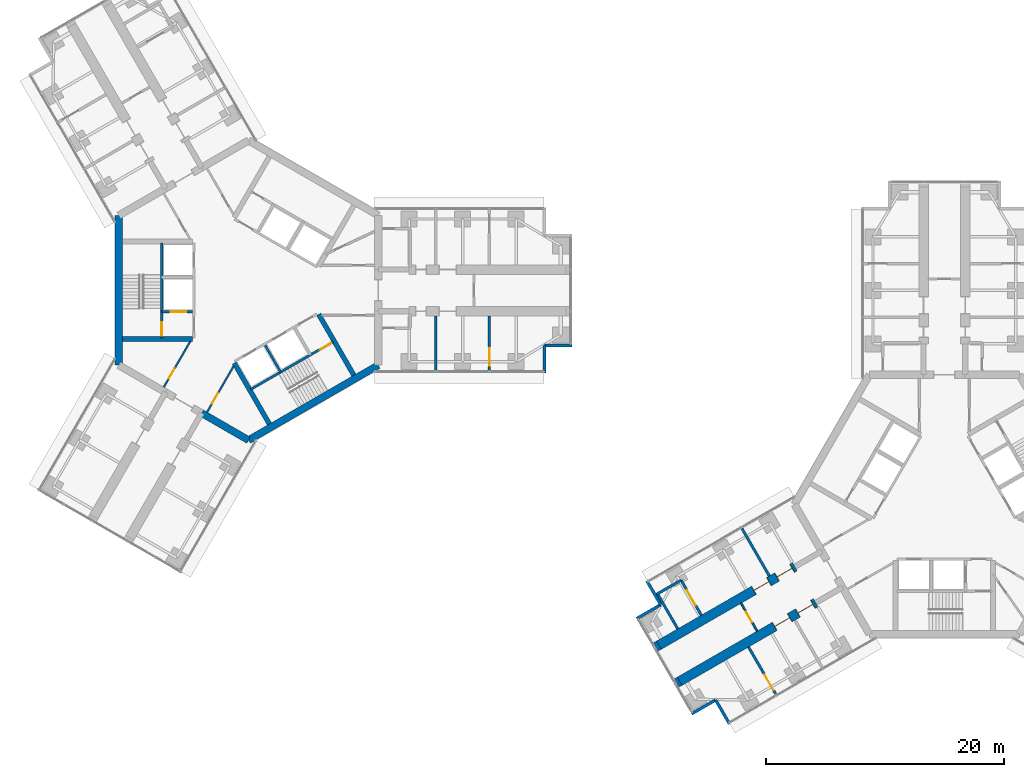
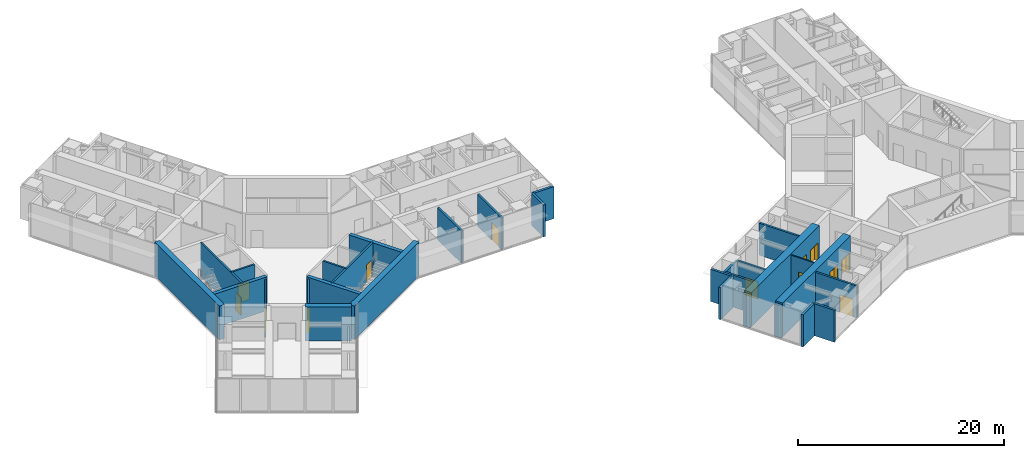
# One storey, part 15 of 21: 30 walls, 13 doors, 13 openings.
"""IFC4 building model written with IfcOpenShell, lengths in metres."""

from ifc_helpers import new_model, si_unit, direction, frame, frame_2d, origin, place, context, subcontext, project, spatial, rectangle, extrude, material, layer, layer_set, type_object, element, fill, save


model = new_model("IFC4")

# Units and contexts
model_context = context("Model", 3, precision=1e-05, world=origin(), true_north=direction((0.0, 1.0)))
body_context = subcontext(model_context, "Body", "Model", "MODEL_VIEW")
ifc_project = project(units=[si_unit("LENGTHUNIT", "METRE"), si_unit("AREAUNIT", "SQUARE_METRE"), si_unit("VOLUMEUNIT", "CUBIC_METRE"), si_unit("PLANEANGLEUNIT", "RADIAN"), si_unit("MASSUNIT", "GRAM", prefix="KILO")], contexts=[model_context])

# Site, building, storey
site_placement = place(None, origin())
site = spatial("IfcSite", under=ifc_project, at=site_placement, CompositionType="ELEMENT")
building_placement = place(site_placement, origin())
building = spatial("IfcBuilding", under=site, at=building_placement, Name="Upepo Twin Towers", CompositionType="ELEMENT")
storey_placement = place(building_placement, frame((0.0, 0.0, 113.5)))
storey = spatial("IfcBuildingStorey", under=building, at=storey_placement, Name="L27", CompositionType="ELEMENT", Elevation=113.5)

# Wall
ifc_material_1 = material(Name="Concrete blockwork, plastered both faces", Category="masonry")
ifc_layer_1 = layer(ifc_material_1, 0.215087890625)
ifc_layer_set_1 = layer_set([ifc_layer_1], Name="Blockwork partition 215")
wall_type_1 = type_object("IfcWallType", Name="Blockwork partition 215", PredefinedType="PARTITIONING", material=ifc_layer_set_1)
wall_1_placement = place(storey_placement, frame((15.75, -2.14990234375, 0.0), z_axis=(0.0, 0.0, 1.0), x_axis=(0.0, -1.0, 0.0)))
element("IfcWall", 1, at=wall_1_placement, inside=storey, type_object=wall_type_1, Name="T1 partition AR at 15.75", PredefinedType="PARTITIONING", context=body_context, shape_type="SweptSolid", body=[
    extrude(rectangle(XDim=4.60009765625, YDim=0.215087890625, at=frame_2d((2.300048828125, 0.0))), origin(), (0.0, 0.0, 1.0), 3.800048828125),
])

# Wall, opening, door
wall_2_placement = place(storey_placement, frame((20.25, -2.14990234375, 0.0), z_axis=(0.0, 0.0, 1.0), x_axis=(0.0, -1.0, 0.0)))
wall_2 = element("IfcWall", 2, at=wall_2_placement, inside=storey, type_object=wall_type_1, Name="T1 partition AR at 20.25", PredefinedType="PARTITIONING", context=body_context, shape_type="SweptSolid", body=[
    extrude(rectangle(XDim=4.60009765625, YDim=0.215087890625, at=frame_2d((2.300048828125, 0.0))), origin(), (0.0, 0.0, 1.0), 3.800048828125),
])
opening_1_placement = place(wall_2_placement, frame((2.699951171875, 0.0, 0.0)))
opening_1 = element("IfcOpeningElement", 3, at=opening_1_placement, cuts=wall_2, Name="Opening D13", PredefinedType="OPENING", context=body_context, shape_type="SweptSolid", body=[
    extrude(rectangle(XDim=1.5, YDim=2.10009765625, at=frame_2d((0.75, 1.050048828125))), frame((0.0, 0.117431640625, 0.0), z_axis=(0.0, -1.0, 0.0), x_axis=(1.0, 0.0, 0.0)), (0.0, 0.0, 1.0), 0.235107421875),
])
ifc_material_2 = material(Name="Timber doorset", Category="wood")
door_type_1 = type_object("IfcDoorType", Name="Double door 1500 FD30", OperationType="DOUBLE_DOOR_SINGLE_SWING", PredefinedType="DOOR", material=ifc_material_2)
door_1_placement = place(opening_1_placement, origin())
door_1 = element("IfcDoor", 4, at=door_1_placement, inside=storey, type_object=door_type_1, Name="T1 L27 connecting door", OperationType="DOUBLE_DOOR_SINGLE_SWING", OverallHeight=2.10009765625, OverallWidth=1.5, PredefinedType="DOOR", context=body_context, shape_type="SweptSolid", body=[
    extrude(rectangle(XDim=1.5, YDim=2.10009765625, at=frame_2d((0.75, 1.050048828125))), frame((0.0, 0.02490234375, 0.0), z_axis=(0.0, -1.0, 0.0), x_axis=(1.0, 0.0, 0.0)), (0.0, 0.0, 1.0), 0.050048828125),
])
fill(opening_1, door_1)

wall_3_placement = place(storey_placement, frame((42.0380859375, -29.987060546875, 0.0), z_axis=(0.0, 0.0, 1.0), x_axis=(0.499975146636, -0.866039752405, 0.0)))
wall_3 = element("IfcWall", 5, at=wall_3_placement, inside=storey, type_object=wall_type_1, Name="T2 partition BL at 20.25", PredefinedType="PARTITIONING", context=body_context, shape_type="SweptSolid", body=[
    extrude(rectangle(XDim=4.599853515625, YDim=0.215087890625, at=frame_2d((2.2998046875, 0.0))), origin(), (0.0, 0.0, 1.0), 3.800048828125),
])
opening_2_placement = place(wall_3_placement, frame((2.699951171875, 0.0, 0.0)))
opening_2 = element("IfcOpeningElement", 6, at=opening_2_placement, cuts=wall_3, Name="Opening D13", PredefinedType="OPENING", context=body_context, shape_type="SweptSolid", body=[
    extrude(rectangle(XDim=1.5, YDim=2.10009765625, at=frame_2d((0.75, 1.050048828125))), frame((0.0, 0.117431640625, 0.0), z_axis=(0.0, -1.0, 0.0), x_axis=(1.0, 0.0, 0.0)), (0.0, 0.0, 1.0), 0.235107421875),
])
door_2_placement = place(opening_2_placement, origin())
door_2 = element("IfcDoor", 7, at=door_2_placement, inside=storey, type_object=door_type_1, Name="T2 L27 connecting door", OperationType="DOUBLE_DOOR_SINGLE_SWING", OverallHeight=2.10009765625, OverallWidth=1.5, PredefinedType="DOOR", context=body_context, shape_type="SweptSolid", body=[
    extrude(rectangle(XDim=1.5, YDim=2.10009765625, at=frame_2d((0.75, 1.050048828125))), frame((0.0, 0.02490234375, 0.0), z_axis=(0.0, -1.0, 0.0), x_axis=(1.0, 0.0, 0.0)), (0.0, 0.0, 1.0), 0.050048828125),
])
fill(opening_2, door_2)

# Walls
wall_4_placement = place(storey_placement, frame((43.78515625, -24.012939453125, 0.0), z_axis=(0.0, 0.0, 1.0), x_axis=(-0.500014953309, 0.866016770315, 0.0)))
element("IfcWall", 8, at=wall_4_placement, inside=storey, type_object=wall_type_1, Name="T2 partition BR at 15.75", PredefinedType="PARTITIONING", context=body_context, shape_type="SweptSolid", body=[
    extrude(rectangle(XDim=4.599853515625, YDim=0.215087890625, at=frame_2d((2.2998046875, 0.0))), origin(), (0.0, 0.0, 1.0), 3.800048828125),
])
wall_5_placement = place(storey_placement, frame((36.369384765625, -24.36865234375, 0.0), z_axis=(0.0, 0.0, 1.0), x_axis=(-0.866050077142, -0.499957262057, 0.0)))
element("IfcWall", 9, at=wall_5_placement, inside=storey, type_object=wall_type_1, Name="T2 inner room partition BR at 22.35", PredefinedType="PARTITIONING", context=body_context, shape_type="SweptSolid", body=[
    extrude(rectangle(XDim=2.400146484375, YDim=0.215087890625, at=frame_2d((1.2001953125, 0.0))), origin(), (0.0, 0.0, 1.0), 3.800048828125),
])

# Wall, opening, door
wall_6_placement = place(storey_placement, frame((38.0693359375, -27.31298828125, 0.0), z_axis=(0.0, 0.0, 1.0), x_axis=(-0.500008388397, 0.866020560687, 0.0)))
wall_6 = element("IfcWall", 10, at=wall_6_placement, inside=storey, type_object=wall_type_1, Name="T2 inner room partition BR end at 22.35", PredefinedType="PARTITIONING", context=body_context, shape_type="SweptSolid", body=[
    extrude(rectangle(XDim=3.39990234375, YDim=0.215087890625, at=frame_2d((1.699951171875, 0.0))), origin(), (0.0, 0.0, 1.0), 3.800048828125),
])
opening_3_placement = place(wall_6_placement, frame((0.949951171875, 0.0, 0.0)))
opening_3 = element("IfcOpeningElement", 11, at=opening_3_placement, cuts=wall_6, Name="Opening D13", PredefinedType="OPENING", context=body_context, shape_type="SweptSolid", body=[
    extrude(rectangle(XDim=1.5, YDim=2.10009765625, at=frame_2d((0.75, 1.050048828125))), frame((0.0, 0.117431640625, 0.0), z_axis=(0.0, -1.0, 0.0), x_axis=(1.0, 0.0, 0.0)), (0.0, 0.0, 1.0), 0.235107421875),
])
door_3_placement = place(opening_3_placement, origin())
door_3 = element("IfcDoor", 12, at=door_3_placement, inside=storey, type_object=door_type_1, Name="T2 L27 inner room door", OperationType="DOUBLE_DOOR_SINGLE_SWING", OverallHeight=2.10009765625, OverallWidth=1.5, PredefinedType="DOOR", context=body_context, shape_type="SweptSolid", body=[
    extrude(rectangle(XDim=1.5, YDim=2.10009765625, at=frame_2d((0.75, 1.050048828125))), frame((0.0, 0.02490234375, 0.0), z_axis=(0.0, -1.0, 0.0), x_axis=(1.0, 0.0, 0.0)), (0.0, 0.0, 1.0), 0.050048828125),
])
fill(opening_3, door_3)

# Walls
wall_7_placement = place(storey_placement, frame((36.083984375, -28.459228515625, 0.0), z_axis=(0.0, 0.0, 1.0), x_axis=(-0.500008388397, 0.866020560687, 0.0)))
element("IfcWall", 13, at=wall_7_placement, inside=storey, type_object=wall_type_1, Name="T2 inner room partition BR end at 24.75", PredefinedType="PARTITIONING", context=body_context, shape_type="SweptSolid", body=[
    extrude(rectangle(XDim=3.39990234375, YDim=0.215087890625, at=frame_2d((1.699951171875, 0.0))), origin(), (0.0, 0.0, 1.0), 3.800048828125),
])
ifc_material_3 = material(Name="Dense concrete blockwork", Category="masonry")
ifc_layer_2 = layer(ifc_material_3, 0.800048828125)
ifc_layer_set_2 = layer_set([ifc_layer_2], Name="Buttress closer 800, blockwork with fire-stopping to the curtain wall")
wall_type_2 = type_object("IfcWallType", Name="Buttress closer 800, blockwork with fire-stopping to the curtain wall", PredefinedType="PARTITIONING", material=ifc_layer_set_2)
wall_8_placement = place(storey_placement, frame((36.252197265625, -32.865478515625, 0.0), z_axis=(0.0, 0.0, 1.0), x_axis=(-0.865778900179, -0.500426713919, 0.0)))
element("IfcWall", 14, at=wall_8_placement, inside=storey, type_object=wall_type_2, Name="T2 L27 wing B buttress closer L", PredefinedType="PARTITIONING", context=body_context, shape_type="SweptSolid", body=[
    extrude(rectangle(XDim=0.300048828125, YDim=0.800048828125, at=frame_2d((0.14990234375, 0.0))), origin(), (0.0, 0.0, 1.0), 3.800048828125),
])
wall_9_placement = place(storey_placement, frame((34.502197265625, -29.83447265625, 0.0), z_axis=(0.0, 0.0, 1.0), x_axis=(-0.866131372301, -0.499816412211, 0.0)))
element("IfcWall", 15, at=wall_9_placement, inside=storey, type_object=wall_type_2, Name="T2 L27 wing B buttress closer R", PredefinedType="PARTITIONING", context=body_context, shape_type="SweptSolid", body=[
    extrude(rectangle(XDim=0.2998046875, YDim=0.800048828125, at=frame_2d((0.14990234375, 0.0))), origin(), (0.0, 0.0, 1.0), 3.800048828125),
])

# Wall, openings, doors
ifc_material_4 = material(Name="Concrete C60/75", Category="concrete")
ifc_layer_3 = layer(ifc_material_4, 0.800048828125)
ifc_layer_set_3 = layer_set([ifc_layer_3], Name="Concrete C60/75")
wall_type_3 = type_object("IfcWallType", Name="Buttress wall 800 RC", PredefinedType="SHEAR", material=ifc_layer_set_3)
wall_10_placement = place(storey_placement, frame((47.68359375, -26.265625, 0.0), z_axis=(0.0, 0.0, 1.0), x_axis=(-0.866027579429, -0.499996231654, 0.0)))
wall_10 = element("IfcWall", 16, at=wall_10_placement, inside=storey, type_object=wall_type_3, Name="T2 wing B buttress wall L part 2", PredefinedType="SHEAR", context=body_context, shape_type="SweptSolid", body=[
    extrude(rectangle(XDim=13.19970703125, YDim=0.800048828125, at=frame_2d((6.599853515625, 0.0))), origin(), (0.0, 0.0, 1.0), 4.0),
])
opening_4_placement = place(wall_10_placement, frame((0.25, 0.0, 0.0)))
opening_4 = element("IfcOpeningElement", 17, at=opening_4_placement, cuts=wall_10, Name="Opening D13", PredefinedType="OPENING", context=body_context, shape_type="SweptSolid", body=[
    extrude(rectangle(XDim=1.5, YDim=2.10009765625, at=frame_2d((0.75, 1.050048828125))), frame((0.0, 0.409912109375, 0.0), z_axis=(0.0, -1.0, 0.0), x_axis=(1.0, 0.0, 0.0)), (0.0, 0.0, 1.0), 0.820068359375),
])
opening_5_placement = place(wall_10_placement, frame((2.5, 0.0, 0.0)))
opening_5 = element("IfcOpeningElement", 18, at=opening_5_placement, cuts=wall_10, Name="Opening D13", PredefinedType="OPENING", context=body_context, shape_type="SweptSolid", body=[
    extrude(rectangle(XDim=1.5, YDim=2.10009765625, at=frame_2d((0.75, 1.050048828125))), frame((0.0, 0.409912109375, 0.0), z_axis=(0.0, -1.0, 0.0), x_axis=(1.0, 0.0, 0.0)), (0.0, 0.0, 1.0), 0.820068359375),
])
door_4_placement = place(opening_4_placement, origin())
door_4 = element("IfcDoor", 19, at=door_4_placement, inside=storey, type_object=door_type_1, Name="T2 L27 tutorial room door", OperationType="DOUBLE_DOOR_SINGLE_SWING", OverallHeight=2.10009765625, OverallWidth=1.5, PredefinedType="DOOR", context=body_context, shape_type="SweptSolid", body=[
    extrude(rectangle(XDim=1.42, YDim=2.06009765625, at=frame_2d((0.75, 1.030029296875))), frame((0.0, 0.02490234375, 0.0), z_axis=(0.0, -1.0, 0.0), x_axis=(1.0, 0.0, 0.0)), (0.0, 0.0, 1.0), 0.050048828125),
    extrude(rectangle(XDim=0.04, YDim=2.10009765625, at=frame_2d((0.02001953125, 1.050048828125))), frame((0.0, 0.39990234375, 0.0), z_axis=(0.0, -1.0, 0.0), x_axis=(1.0, 0.0, 0.0)), (0.0, 0.0, 1.0), 0.799560546875),
    extrude(rectangle(XDim=0.04, YDim=2.10009765625, at=frame_2d((1.47998046875, 1.050048828125))), frame((0.0, 0.39990234375, 0.0), z_axis=(0.0, -1.0, 0.0), x_axis=(1.0, 0.0, 0.0)), (0.0, 0.0, 1.0), 0.799560546875),
    extrude(rectangle(XDim=1.42, YDim=0.04, at=frame_2d((0.75, 2.080078125))), frame((0.0, 0.39990234375, 0.0), z_axis=(0.0, -1.0, 0.0), x_axis=(1.0, 0.0, 0.0)), (0.0, 0.0, 1.0), 0.799560546875),
])
fill(opening_4, door_4)
door_5_placement = place(opening_5_placement, origin())
door_5 = element("IfcDoor", 20, at=door_5_placement, inside=storey, type_object=door_type_1, Name="T2 L27 seminar room door", OperationType="DOUBLE_DOOR_SINGLE_SWING", OverallHeight=2.10009765625, OverallWidth=1.5, PredefinedType="DOOR", context=body_context, shape_type="SweptSolid", body=[
    extrude(rectangle(XDim=1.42, YDim=2.06009765625, at=frame_2d((0.75, 1.030029296875))), frame((0.0, 0.02490234375, 0.0), z_axis=(0.0, -1.0, 0.0), x_axis=(1.0, 0.0, 0.0)), (0.0, 0.0, 1.0), 0.050048828125),
    extrude(rectangle(XDim=0.04, YDim=2.10009765625, at=frame_2d((0.02001953125, 1.050048828125))), frame((0.0, 0.39990234375, 0.0), z_axis=(0.0, -1.0, 0.0), x_axis=(1.0, 0.0, 0.0)), (0.0, 0.0, 1.0), 0.799560546875),
    extrude(rectangle(XDim=0.04, YDim=2.10009765625, at=frame_2d((1.47998046875, 1.050048828125))), frame((0.0, 0.39990234375, 0.0), z_axis=(0.0, -1.0, 0.0), x_axis=(1.0, 0.0, 0.0)), (0.0, 0.0, 1.0), 0.799560546875),
    extrude(rectangle(XDim=1.42, YDim=0.04, at=frame_2d((0.75, 2.080078125))), frame((0.0, 0.39990234375, 0.0), z_axis=(0.0, -1.0, 0.0), x_axis=(1.0, 0.0, 0.0)), (0.0, 0.0, 1.0), 0.799560546875),
])
fill(opening_5, door_5)

wall_11_placement = place(storey_placement, frame((45.93359375, -23.234375, 0.0), z_axis=(0.0, 0.0, 1.0), x_axis=(-0.866019570528, -0.500010103361, 0.0)))
wall_11 = element("IfcWall", 21, at=wall_11_placement, inside=storey, type_object=wall_type_3, Name="T2 wing B buttress wall R part 2", PredefinedType="SHEAR", context=body_context, shape_type="SweptSolid", body=[
    extrude(rectangle(XDim=13.199951171875, YDim=0.800048828125, at=frame_2d((6.60009765625, 0.0))), origin(), (0.0, 0.0, 1.0), 4.0),
])
opening_6_placement = place(wall_11_placement, frame((0.25, 0.0, 0.0)))
opening_6 = element("IfcOpeningElement", 22, at=opening_6_placement, cuts=wall_11, Name="Opening D13", PredefinedType="OPENING", context=body_context, shape_type="SweptSolid", body=[
    extrude(rectangle(XDim=1.5, YDim=2.10009765625, at=frame_2d((0.75, 1.050048828125))), frame((0.0, 0.409912109375, 0.0), z_axis=(0.0, -1.0, 0.0), x_axis=(1.0, 0.0, 0.0)), (0.0, 0.0, 1.0), 0.820068359375),
])
opening_7_placement = place(wall_11_placement, frame((2.5, 0.0, 0.0)))
opening_7 = element("IfcOpeningElement", 23, at=opening_7_placement, cuts=wall_11, Name="Opening D13", PredefinedType="OPENING", context=body_context, shape_type="SweptSolid", body=[
    extrude(rectangle(XDim=1.5, YDim=2.10009765625, at=frame_2d((0.75, 1.050048828125))), frame((0.0, 0.409912109375, 0.0), z_axis=(0.0, -1.0, 0.0), x_axis=(1.0, 0.0, 0.0)), (0.0, 0.0, 1.0), 0.820068359375),
])
door_6_placement = place(opening_6_placement, origin())
door_6 = element("IfcDoor", 24, at=door_6_placement, inside=storey, type_object=door_type_1, Name="T2 L27 tutorial room door", OperationType="DOUBLE_DOOR_SINGLE_SWING", OverallHeight=2.10009765625, OverallWidth=1.5, PredefinedType="DOOR", context=body_context, shape_type="SweptSolid", body=[
    extrude(rectangle(XDim=1.42, YDim=2.06009765625, at=frame_2d((0.75, 1.030029296875))), frame((0.0, 0.02490234375, 0.0), z_axis=(0.0, -1.0, 0.0), x_axis=(1.0, 0.0, 0.0)), (0.0, 0.0, 1.0), 0.050048828125),
    extrude(rectangle(XDim=0.04, YDim=2.10009765625, at=frame_2d((0.02001953125, 1.050048828125))), frame((0.0, 0.39990234375, 0.0), z_axis=(0.0, -1.0, 0.0), x_axis=(1.0, 0.0, 0.0)), (0.0, 0.0, 1.0), 0.799560546875),
    extrude(rectangle(XDim=0.04, YDim=2.10009765625, at=frame_2d((1.47998046875, 1.050048828125))), frame((0.0, 0.39990234375, 0.0), z_axis=(0.0, -1.0, 0.0), x_axis=(1.0, 0.0, 0.0)), (0.0, 0.0, 1.0), 0.799560546875),
    extrude(rectangle(XDim=1.42, YDim=0.04, at=frame_2d((0.75, 2.080078125))), frame((0.0, 0.39990234375, 0.0), z_axis=(0.0, -1.0, 0.0), x_axis=(1.0, 0.0, 0.0)), (0.0, 0.0, 1.0), 0.799560546875),
])
fill(opening_6, door_6)
door_7_placement = place(opening_7_placement, origin())
door_7 = element("IfcDoor", 25, at=door_7_placement, inside=storey, type_object=door_type_1, Name="T2 L27 moot court door", OperationType="DOUBLE_DOOR_SINGLE_SWING", OverallHeight=2.10009765625, OverallWidth=1.5, PredefinedType="DOOR", context=body_context, shape_type="SweptSolid", body=[
    extrude(rectangle(XDim=1.42, YDim=2.06009765625, at=frame_2d((0.75, 1.030029296875))), frame((0.0, 0.02490234375, 0.0), z_axis=(0.0, -1.0, 0.0), x_axis=(1.0, 0.0, 0.0)), (0.0, 0.0, 1.0), 0.050048828125),
    extrude(rectangle(XDim=0.04, YDim=2.10009765625, at=frame_2d((0.02001953125, 1.050048828125))), frame((0.0, 0.39990234375, 0.0), z_axis=(0.0, -1.0, 0.0), x_axis=(1.0, 0.0, 0.0)), (0.0, 0.0, 1.0), 0.799560546875),
    extrude(rectangle(XDim=0.04, YDim=2.10009765625, at=frame_2d((1.47998046875, 1.050048828125))), frame((0.0, 0.39990234375, 0.0), z_axis=(0.0, -1.0, 0.0), x_axis=(1.0, 0.0, 0.0)), (0.0, 0.0, 1.0), 0.799560546875),
    extrude(rectangle(XDim=1.42, YDim=0.04, at=frame_2d((0.75, 2.080078125))), frame((0.0, 0.39990234375, 0.0), z_axis=(0.0, -1.0, 0.0), x_axis=(1.0, 0.0, 0.0)), (0.0, 0.0, 1.0), 0.799560546875),
])
fill(opening_7, door_7)

# Walls
ifc_material_5 = material(Name="Concrete C60/75", Category="concrete")
ifc_layer_4 = layer(ifc_material_5, 0.60009765625)
ifc_layer_set_4 = layer_set([ifc_layer_4], Name="Concrete C60/75")
wall_type_4 = type_object("IfcWallType", Name="Core wall 600 RC", PredefinedType="SHEAR", material=ifc_layer_set_4)
wall_12_placement = place(storey_placement, frame((-10.908447265625, 6.2978515625, 0.0), z_axis=(0.0, 0.0, 1.0), x_axis=(0.0, -1.0, 0.0)))
element("IfcWall", 26, at=wall_12_placement, inside=storey, type_object=wall_type_4, Name="T1 core wall 180", PredefinedType="SHEAR", context=body_context, shape_type="SweptSolid", body=[
    extrude(rectangle(XDim=12.595703125, YDim=0.60009765625, at=frame_2d((6.2978515625, 0.0))), origin(), (0.0, 0.0, 1.0), 4.0),
])
wall_13_placement = place(storey_placement, frame((-3.938720703125, -10.32177734375, 0.0), z_axis=(0.0, 0.0, 1.0), x_axis=(0.866011268655, -0.500024481964, 0.0)))
element("IfcWall", 27, at=wall_13_placement, inside=storey, type_object=wall_type_4, Name="T1 core wall 240 L", PredefinedType="SHEAR", context=body_context, shape_type="SweptSolid", body=[
    extrude(rectangle(XDim=4.548095703125, YDim=0.60009765625, at=frame_2d((2.27392578125, 0.0))), origin(), (0.0, 0.0, 1.0), 4.0),
])
wall_14_placement = place(storey_placement, frame((0.0, -12.595947265625, 0.0), z_axis=(0.0, 0.0, 1.0), x_axis=(0.866021940709, 0.500005998175, 0.0)))
element("IfcWall", 28, at=wall_14_placement, inside=storey, type_object=wall_type_4, Name="T1 core wall 300", PredefinedType="SHEAR", context=body_context, shape_type="SweptSolid", body=[
    extrude(rectangle(XDim=12.595947265625, YDim=0.60009765625, at=frame_2d((6.2978515625, 0.0))), origin(), (0.0, 0.0, 1.0), 4.0),
])
ifc_material_6 = material(Name="Blockwork with anodised aluminium cladding", Category="masonry")
ifc_layer_5 = layer(ifc_material_6, 0.25)
ifc_layer_set_5 = layer_set([ifc_layer_5], Name="Notch cladding wall 250, pale metal")
wall_type_5 = type_object("IfcWallType", Name="Notch cladding wall 250, pale metal", PredefinedType="STANDARD", material=ifc_layer_set_5)
for number, where, z_axis, x_axis, name in (
    (29, (24.875, -6.949951171875, 0.0), (0.0, 0.0, 1.0), (0.0, 1.0, 0.0), "T1 L27 wing A notch wall R1"),
    (30, (24.875, -4.625, 0.0), (0.0, 0.0, 1.0), (1.0, 0.0, 0.0), "T1 L27 wing A notch wall R2"),
    (31, (40.4326171875, -36.456298828125, 0.0), (0.0, 0.0, 1.0), (-0.500046648681, 0.865998469481, 0.0), "T2 L27 wing B notch wall L1"),
    (32, (39.27001953125, -34.44287109375, 0.0), (0.0, 0.0, 1.0), (-0.865998469481, -0.500046648681, 0.0), "T2 L27 wing B notch wall L2"),
    (33, (33.482666015625, -24.418701171875, 0.0), (0.0, 0.0, 1.0), (0.499967891604, -0.866043940782, 0.0), "T2 L27 wing B notch wall R1"),
    (34, (34.64501953125, -26.43212890625, 0.0), (0.0, 0.0, 1.0), (-0.865998469481, -0.500046648681, 0.0), "T2 L27 wing B notch wall R2"),
):
    element("IfcWall", number, at=place(storey_placement, frame(where, z_axis=z_axis, x_axis=x_axis)), inside=storey, type_object=wall_type_5, Name=name, PredefinedType="STANDARD", context=body_context, shape_type="SweptSolid", body=[
        extrude(rectangle(XDim=2.324951171875, YDim=0.25, at=frame_2d((1.16259765625, 0.0))), origin(), (0.0, 0.0, 1.0), 3.800048828125),
    ])

# Wall, opening, door
ifc_material_7 = material(Name="Concrete C40/50", Category="concrete")
ifc_layer_6 = layer(ifc_material_7, 0.199951171875)
ifc_layer_set_6 = layer_set([ifc_layer_6], Name="Concrete C40/50")
wall_type_6 = type_object("IfcWallType", Name="Shaft wall 200 RC", PredefinedType="SHEAR", material=ifc_layer_set_6)
wall_15_placement = place(storey_placement, frame((-4.699951171875, -1.800048828125, 0.0), z_axis=(0.0, 0.0, 1.0), x_axis=(-1.0, 0.0, 0.0)))
wall_15 = element("IfcWall", 35, at=wall_15_placement, inside=storey, type_object=wall_type_6, Name="T1 core W180 lobby wall", PredefinedType="SHEAR", context=body_context, shape_type="SweptSolid", body=[
    extrude(rectangle(XDim=2.60009765625, YDim=0.199951171875, at=frame_2d((1.300048828125, 0.0))), origin(), (0.0, 0.0, 1.0), 4.0),
])
opening_8_placement = place(wall_15_placement, frame((0.550048828125, 0.0, 0.0)))
opening_8 = element("IfcOpeningElement", 36, at=opening_8_placement, cuts=wall_15, Name="Opening LD2", PredefinedType="OPENING", context=body_context, shape_type="SweptSolid", body=[
    extrude(rectangle(XDim=1.300048828125, YDim=2.199951171875, at=frame_2d((0.64990234375, 1.10009765625))), frame((0.0, 0.10986328125, 0.0), z_axis=(0.0, -1.0, 0.0), x_axis=(1.0, 0.0, 0.0)), (0.0, 0.0, 1.0), 0.219970703125),
])
ifc_material_8 = material(Name="Steel doorset", Category="steel")
door_type_2 = type_object("IfcDoorType", Name="Firefighting lift landing door 1300", OperationType="DOUBLE_DOOR_SLIDING", PredefinedType="DOOR", material=ifc_material_8)
door_8_placement = place(opening_8_placement, origin())
door_8 = element("IfcDoor", 37, at=door_8_placement, inside=storey, type_object=door_type_2, Name="T1 L27 firefighting lift landing door", OperationType="DOUBLE_DOOR_SLIDING", OverallHeight=2.199951171875, OverallWidth=1.300048828125, PredefinedType="DOOR", context=body_context, shape_type="SweptSolid", body=[
    extrude(rectangle(XDim=1.300048828125, YDim=2.199951171875, at=frame_2d((0.64990234375, 1.10009765625))), frame((0.0, 0.02490234375, 0.0), z_axis=(0.0, -1.0, 0.0), x_axis=(1.0, 0.0, 0.0)), (0.0, 0.0, 1.0), 0.050048828125),
])
fill(opening_8, door_8)

wall_16_placement = place(storey_placement, frame((-7.300048828125, 4.0, 0.0), z_axis=(0.0, 0.0, 1.0), x_axis=(0.0, -1.0, 0.0)))
wall_16 = element("IfcWall", 38, at=wall_16_placement, inside=storey, type_object=wall_type_6, Name="T1 core W180 stair wall", PredefinedType="SHEAR", context=body_context, shape_type="SweptSolid", body=[
    extrude(rectangle(XDim=8.0, YDim=0.199951171875, at=frame_2d((4.0, 0.0))), origin(), (0.0, 0.0, 1.0), 4.0),
])
opening_9_placement = place(wall_16_placement, frame((6.699951171875, 0.0, 0.0)))
opening_9 = element("IfcOpeningElement", 39, at=opening_9_placement, cuts=wall_16, Name="Opening D3", PredefinedType="OPENING", context=body_context, shape_type="SweptSolid", body=[
    extrude(rectangle(XDim=1.10009765625, YDim=2.10009765625, at=frame_2d((0.550048828125, 1.050048828125))), frame((0.0, 0.10986328125, 0.0), z_axis=(0.0, -1.0, 0.0), x_axis=(1.0, 0.0, 0.0)), (0.0, 0.0, 1.0), 0.219970703125),
])
ifc_material_9 = material(Name="Timber doorset", Category="wood")
door_type_3 = type_object("IfcDoorType", Name="Stair door 1100 FD60", OperationType="SINGLE_SWING_LEFT", PredefinedType="DOOR", material=ifc_material_9)
door_9_placement = place(opening_9_placement, origin())
door_9 = element("IfcDoor", 40, at=door_9_placement, inside=storey, type_object=door_type_3, Name="T1 L27 stair door", OperationType="SINGLE_SWING_RIGHT", OverallHeight=2.10009765625, OverallWidth=1.10009765625, PredefinedType="DOOR", context=body_context, shape_type="SweptSolid", body=[
    extrude(rectangle(XDim=1.10009765625, YDim=2.10009765625, at=frame_2d((0.550048828125, 1.050048828125))), frame((0.0, 0.02490234375, 0.0), z_axis=(0.0, -1.0, 0.0), x_axis=(1.0, 0.0, 0.0)), (0.0, 0.0, 1.0), 0.050048828125),
])
fill(opening_9, door_9)

# Wall
wall_17_placement = place(storey_placement, frame((1.3974609375, -4.620361328125, 0.0), z_axis=(0.0, 0.0, 1.0), x_axis=(0.499936506574, -0.866062058628, 0.0)))
element("IfcWall", 41, at=wall_17_placement, inside=storey, type_object=wall_type_6, Name="T1 core W300 shaft divider", PredefinedType="SHEAR", context=body_context, shape_type="SweptSolid", body=[
    extrude(rectangle(XDim=2.599853515625, YDim=0.199951171875, at=frame_2d((1.2998046875, 0.0))), origin(), (0.0, 0.0, 1.0), 4.0),
])

# Wall, opening, door
wall_18_placement = place(storey_placement, frame((0.185791015625, -8.322021484375, 0.0), z_axis=(0.0, 0.0, 1.0), x_axis=(0.866026010844, 0.49999894854, 0.0)))
wall_18 = element("IfcWall", 42, at=wall_18_placement, inside=storey, type_object=wall_type_6, Name="T1 core W300 stair wall", PredefinedType="SHEAR", context=body_context, shape_type="SweptSolid", body=[
    extrude(rectangle(XDim=8.0, YDim=0.199951171875, at=frame_2d((4.0, 0.0))), origin(), (0.0, 0.0, 1.0), 4.0),
])
opening_10_placement = place(wall_18_placement, frame((6.699951171875, 0.0, 0.0)))
opening_10 = element("IfcOpeningElement", 43, at=opening_10_placement, cuts=wall_18, Name="Opening D3", PredefinedType="OPENING", context=body_context, shape_type="SweptSolid", body=[
    extrude(rectangle(XDim=1.10009765625, YDim=2.10009765625, at=frame_2d((0.550048828125, 1.050048828125))), frame((0.0, 0.10986328125, 0.0), z_axis=(0.0, -1.0, 0.0), x_axis=(1.0, 0.0, 0.0)), (0.0, 0.0, 1.0), 0.219970703125),
])
door_10_placement = place(opening_10_placement, origin())
door_10 = element("IfcDoor", 44, at=door_10_placement, inside=storey, type_object=door_type_3, Name="T1 L27 stair door", OperationType="SINGLE_SWING_RIGHT", OverallHeight=2.10009765625, OverallWidth=1.10009765625, PredefinedType="DOOR", context=body_context, shape_type="SweptSolid", body=[
    extrude(rectangle(XDim=1.10009765625, YDim=2.10009765625, at=frame_2d((0.550048828125, 1.050048828125))), frame((0.0, 0.02490234375, 0.0), z_axis=(0.0, -1.0, 0.0), x_axis=(1.0, 0.0, 0.0)), (0.0, 0.0, 1.0), 0.050048828125),
])
fill(opening_10, door_10)

# Walls
ifc_material_10 = material(Name="Concrete C40/50", Category="concrete")
ifc_layer_7 = layer(ifc_material_10, 0.39990234375)
ifc_layer_set_7 = layer_set([ifc_layer_7], Name="Concrete C40/50")
wall_type_7 = type_object("IfcWallType", Name="Shaft wall 400 RC", PredefinedType="SHEAR", material=ifc_layer_set_7)
for number, where, z_axis, x_axis, name in (
    (45, (-4.699951171875, -4.10009765625, 0.0), (0.0, 0.0, 1.0), (-1.0, 0.0, 0.0), "T1 core W180 side wall N"),
    (46, (5.900634765625, -2.020263671875, 0.0), (0.0, 0.0, 1.0), (0.500027676417, -0.866009424208, 0.0), "T1 core W300 side wall N"),
):
    element("IfcWall", number, at=place(storey_placement, frame(where, z_axis=z_axis, x_axis=x_axis)), inside=storey, type_object=wall_type_7, Name=name, PredefinedType="SHEAR", context=body_context, shape_type="SweptSolid", body=[
        extrude(rectangle(XDim=5.908447265625, YDim=0.39990234375, at=frame_2d((2.9541015625, 0.0))), origin(), (0.0, 0.0, 1.0), 4.0),
    ])
wall_19_placement = place(storey_placement, frame((-1.20068359375, -6.120361328125, 0.0), z_axis=(0.0, 0.0, 1.0), x_axis=(0.49999668571, -0.866027317282, 0.0)))
element("IfcWall", 47, at=wall_19_placement, inside=storey, type_object=wall_type_7, Name="T1 core W300 side wall S", PredefinedType="SHEAR", context=body_context, shape_type="SweptSolid", body=[
    extrude(rectangle(XDim=5.908203125, YDim=0.39990234375, at=frame_2d((2.9541015625, 0.0))), origin(), (0.0, 0.0, 1.0), 4.0),
])

# Wall, opening, door
ifc_material_11 = material(Name="Gypsum board on steel studs", Category="steel")
ifc_layer_8 = layer(ifc_material_11, 0.14990234375)
ifc_layer_set_8 = layer_set([ifc_layer_8], Name="Teaching partition 150 acoustic")
wall_type_8 = type_object("IfcWallType", Name="Teaching partition 150 acoustic", PredefinedType="PARTITIONING", material=ifc_layer_set_8)
wall_20_placement = place(storey_placement, frame((-1.252685546875, -6.36962890625, 0.0), z_axis=(0.0, 0.0, 1.0), x_axis=(-0.499999473313, -0.866025707867, 0.0)))
wall_20 = element("IfcWall", 48, at=wall_20_placement, inside=storey, type_object=wall_type_8, Name="T1 core room partition 1", PredefinedType="PARTITIONING", context=body_context, shape_type="SweptSolid", body=[
    extrude(rectangle(XDim=4.4755859375, YDim=0.14990234375, at=frame_2d((2.23779296875, 0.0))), origin(), (0.0, 0.0, 1.0), 3.800048828125),
])
opening_11_placement = place(wall_20_placement, frame((2.633056640625, 0.0, 0.0)))
opening_11 = element("IfcOpeningElement", 49, at=opening_11_placement, cuts=wall_20, Name="Opening D1", PredefinedType="OPENING", context=body_context, shape_type="SweptSolid", body=[
    extrude(rectangle(XDim=1.0, YDim=2.10009765625, at=frame_2d((0.5, 1.050048828125))), frame((0.0, 0.0849609375, 0.0), z_axis=(0.0, -1.0, 0.0), x_axis=(1.0, 0.0, 0.0)), (0.0, 0.0, 1.0), 0.169921875),
])
ifc_material_12 = material(Name="Timber doorset", Category="wood")
door_type_4 = type_object("IfcDoorType", Name="Room door 1000 FD30", OperationType="SINGLE_SWING_LEFT", PredefinedType="DOOR", material=ifc_material_12)
door_11_placement = place(opening_11_placement, origin())
door_11 = element("IfcDoor", 50, at=door_11_placement, inside=storey, type_object=door_type_4, Name="T1 L27 core room door K2", OperationType="SINGLE_SWING_RIGHT", OverallHeight=2.10009765625, OverallWidth=1.0, PredefinedType="DOOR", context=body_context, shape_type="SweptSolid", body=[
    extrude(rectangle(XDim=1.0, YDim=2.10009765625, at=frame_2d((0.5, 1.050048828125))), frame((0.0, 0.02490234375, 0.0), z_axis=(0.0, -1.0, 0.0), x_axis=(1.0, 0.0, 0.0)), (0.0, 0.0, 1.0), 0.050048828125),
])
fill(opening_11, door_11)

wall_21_placement = place(storey_placement, frame((-7.127685546875, -8.145751953125, 0.0), z_axis=(0.0, 0.0, 1.0), x_axis=(0.499999473313, 0.866025707867, 0.0)))
wall_21 = element("IfcWall", 51, at=wall_21_placement, inside=storey, type_object=wall_type_8, Name="T1 core room partition 2", PredefinedType="PARTITIONING", context=body_context, shape_type="SweptSolid", body=[
    extrude(rectangle(XDim=4.4755859375, YDim=0.14990234375, at=frame_2d((2.23779296875, 0.0))), origin(), (0.0, 0.0, 1.0), 3.800048828125),
])
opening_12_placement = place(wall_21_placement, frame((0.8427734375, 0.0, 0.0)))
opening_12 = element("IfcOpeningElement", 52, at=opening_12_placement, cuts=wall_21, Name="Opening D1", PredefinedType="OPENING", context=body_context, shape_type="SweptSolid", body=[
    extrude(rectangle(XDim=1.0, YDim=2.10009765625, at=frame_2d((0.5, 1.050048828125))), frame((0.0, 0.0849609375, 0.0), z_axis=(0.0, -1.0, 0.0), x_axis=(1.0, 0.0, 0.0)), (0.0, 0.0, 1.0), 0.169921875),
])
door_12_placement = place(opening_12_placement, origin())
door_12 = element("IfcDoor", 53, at=door_12_placement, inside=storey, type_object=door_type_4, Name="T1 L27 core room door K1", OperationType="SINGLE_SWING_LEFT", OverallHeight=2.10009765625, OverallWidth=1.0, PredefinedType="DOOR", context=body_context, shape_type="SweptSolid", body=[
    extrude(rectangle(XDim=1.0, YDim=2.10009765625, at=frame_2d((0.5, 1.050048828125))), frame((0.0, 0.02490234375, 0.0), z_axis=(0.0, -1.0, 0.0), x_axis=(1.0, 0.0, 0.0)), (0.0, 0.0, 1.0), 0.050048828125),
])
fill(opening_12, door_12)

wall_22_placement = place(storey_placement, frame((41.413818359375, -26.305908203125, 0.0), z_axis=(0.0, 0.0, 1.0), x_axis=(0.500048589285, -0.86599734893, 0.0)))
wall_22 = element("IfcWall", 54, at=wall_22_placement, inside=storey, type_object=wall_type_8, Name="T2 corridor end partition B at 18.95", PredefinedType="PARTITIONING", context=body_context, shape_type="SweptSolid", body=[
    extrude(rectangle(XDim=2.699951171875, YDim=0.14990234375, at=frame_2d((1.35009765625, 0.0))), origin(), (0.0, 0.0, 1.0), 3.800048828125),
])
opening_13_placement = place(wall_22_placement, frame((0.85009765625, 0.0, 0.0)))
opening_13 = element("IfcOpeningElement", 55, at=opening_13_placement, cuts=wall_22, Name="Opening D1", PredefinedType="OPENING", context=body_context, shape_type="SweptSolid", body=[
    extrude(rectangle(XDim=1.0, YDim=2.10009765625, at=frame_2d((0.5, 1.050048828125))), frame((0.0, 0.0849609375, 0.0), z_axis=(0.0, -1.0, 0.0), x_axis=(1.0, 0.0, 0.0)), (0.0, 0.0, 1.0), 0.169921875),
])
door_13_placement = place(opening_13_placement, origin())
door_13 = element("IfcDoor", 56, at=door_13_placement, inside=storey, type_object=door_type_4, Name="T2 L27 breakout study room door", OperationType="SINGLE_SWING_RIGHT", OverallHeight=2.10009765625, OverallWidth=1.0, PredefinedType="DOOR", context=body_context, shape_type="SweptSolid", body=[
    extrude(rectangle(XDim=1.0, YDim=2.10009765625, at=frame_2d((0.5, 1.050048828125))), frame((0.0, 0.02490234375, 0.0), z_axis=(0.0, -1.0, 0.0), x_axis=(1.0, 0.0, 0.0)), (0.0, 0.0, 1.0), 0.050048828125),
])
fill(opening_13, door_13)

save(model, "model.ifc")
